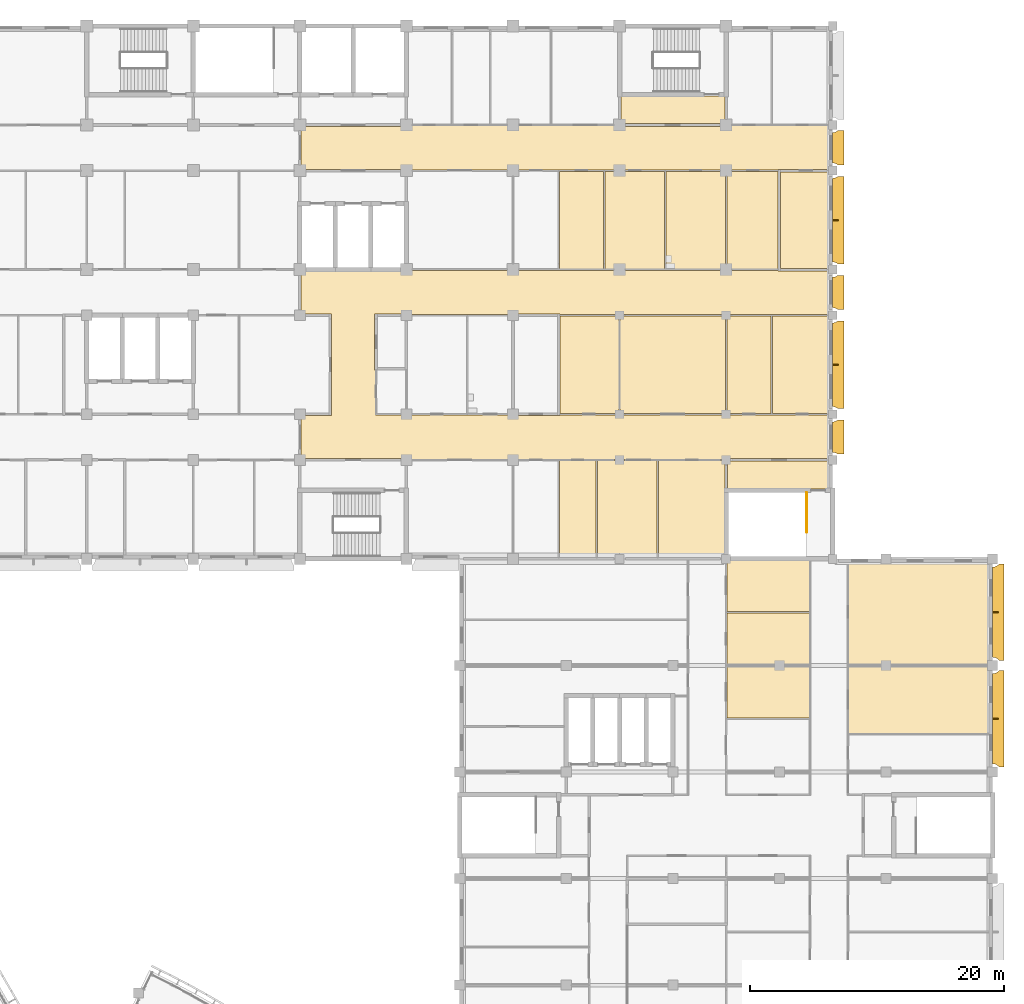
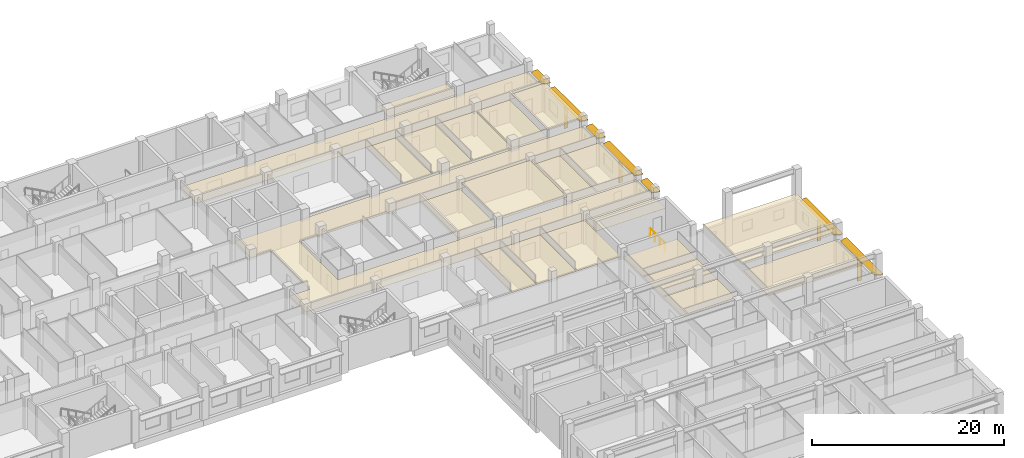
# One storey, part 106 of 109: 21 coverings, 11 shading devices, 1 railing.
"""IFC4 building model written with IfcOpenShell, lengths in metres."""

from ifc_helpers import new_model, si_unit, direction, frame, origin, origin_2d, place, context, subcontext, project, spatial, polyline, rectangle, circle, outline, extrude, material, layer, layer_set, material_profile, profile_set, type_object, element, save


model = new_model("IFC4")

# Units and contexts
model_context = context("Model", 3, precision=1e-05, world=origin(), true_north=direction((0.0, 1.0)))
body_context = subcontext(model_context, "Body", "Model", "MODEL_VIEW")
ifc_project = project(units=[si_unit("LENGTHUNIT", "METRE"), si_unit("AREAUNIT", "SQUARE_METRE"), si_unit("VOLUMEUNIT", "CUBIC_METRE"), si_unit("PLANEANGLEUNIT", "RADIAN"), si_unit("MASSUNIT", "GRAM", prefix="KILO")], contexts=[model_context])

# Site, building, storey
site_placement = place(None, origin())
site = spatial("IfcSite", under=ifc_project, at=site_placement, CompositionType="ELEMENT")
building_placement = place(site_placement, origin())
building = spatial("IfcBuilding", under=site, at=building_placement, Name="Bougainvillea Quay General Hospital", CompositionType="ELEMENT")
storey_placement = place(building_placement, frame((0.0, 0.0, 12.60009765625)))
storey = spatial("IfcBuildingStorey", under=building, at=storey_placement, Name="L02", CompositionType="ELEMENT", Elevation=12.60009765625)

# Railing
ifc_material_1 = material(Name="Stainless steel 304 balustrade", Category="steel")
railing_type = type_object("IfcRailingType", Name="Stair guard 1100", PredefinedType="GUARDRAIL", material=ifc_material_1)
railing_placement = place(storey_placement, frame((191.14990234375, 122.824951171875, 0.0)))
element("IfcRailing", 1, at=railing_placement, inside=storey, type_object=railing_type, Name="L02 ST-D4 top well guard 1", PredefinedType="GUARDRAIL", context=body_context, shape_type="SweptSolid", body=[
    extrude(circle(Radius=0.02392578125, at=origin_2d()), frame((0.0, 0.0, 1.076171875), z_axis=(0.0, -1.0, 0.0), x_axis=(1.0, 0.0, 0.0)), (0.0, 0.0, 1.0), 3.125),
    extrude(circle(Radius=0.02099609375, at=origin_2d()), origin(), (0.0, 0.0, 1.0), 1.052001953125),
    extrude(circle(Radius=0.02099609375, at=origin_2d()), frame((0.0, -1.041748046875, 0.0)), (0.0, 0.0, 1.0), 1.052001953125),
    extrude(circle(Radius=0.02099609375, at=origin_2d()), frame((0.0, -2.083251953125, 0.0)), (0.0, 0.0, 1.0), 1.052001953125),
    extrude(circle(Radius=0.02099609375, at=origin_2d()), frame((0.0, -3.125, 0.0)), (0.0, 0.0, 1.0), 1.052001953125),
])

# Shading devices
ifc_material_2 = material(Name="Powder-coated aluminium canopy soffit and fascia, white", Category="aluminium")
ifc_layer_1 = layer(ifc_material_2, 0.10009765625)
ifc_layer_set_1 = layer_set([ifc_layer_1], Name="Powder-coated aluminium canopy soffit and fascia, white")
shading_device_type_1 = type_object("IfcShadingDeviceType", Name="Sunshade 100", PredefinedType="USERDEFINED", material=ifc_layer_set_1)
shading_device_1_placement = place(storey_placement, frame((0.0, 0.0, 2.849853515625)))
element("IfcShadingDevice", 2, at=shading_device_1_placement, inside=storey, type_object=shading_device_type_1, Name="Sunshade 0", ObjectType="Sunshade", PredefinedType="USERDEFINED", context=body_context, shape_type="SweptSolid", body=[
    extrude(outline(polyline([(205.800048828125, 108.550048828125), (205.800048828125, 101.449951171875), (205.9267578125, 101.4375), (205.98876953125, 101.422119140625), (206.1064453125, 101.373291015625), (206.21240234375, 101.302490234375), (206.3115234375, 101.199951171875), (206.699951171875, 101.199951171875), (206.699951171875, 108.800048828125), (206.3115234375, 108.800048828125), (206.21240234375, 108.697509765625), (206.1064453125, 108.626708984375), (205.98876953125, 108.577880859375), (205.9267578125, 108.5625), (205.800048828125, 108.550048828125)])), origin(), (0.0, 0.0, 1.0), 0.10009765625),
])
shading_device_2_placement = place(storey_placement, frame((0.0, 0.0, 2.849853515625)))
element("IfcShadingDevice", 3, at=shading_device_2_placement, inside=storey, type_object=shading_device_type_1, Name="Sunshade 0", ObjectType="Sunshade", PredefinedType="USERDEFINED", context=body_context, shape_type="SweptSolid", body=[
    extrude(outline(polyline([(205.800048828125, 116.949951171875), (205.800048828125, 109.85009765625), (205.9267578125, 109.83740234375), (205.98876953125, 109.822021484375), (206.1064453125, 109.773193359375), (206.21240234375, 109.702392578125), (206.3115234375, 109.60009765625), (206.699951171875, 109.60009765625), (206.699951171875, 117.199951171875), (206.3115234375, 117.199951171875), (206.21240234375, 117.09765625), (206.1064453125, 117.02685546875), (205.98876953125, 116.97802734375), (205.9267578125, 116.96240234375), (205.800048828125, 116.949951171875)])), origin(), (0.0, 0.0, 1.0), 0.10009765625),
])
shading_device_3_placement = place(storey_placement, frame((0.0, 0.0, 2.849853515625)))
element("IfcShadingDevice", 4, at=shading_device_3_placement, inside=storey, type_object=shading_device_type_1, Name="Sunshade 0", ObjectType="Sunshade", PredefinedType="USERDEFINED", context=body_context, shape_type="SweptSolid", body=[
    extrude(outline(polyline([(193.199951171875, 128.39990234375), (193.199951171875, 126.0), (193.317138671875, 125.988525390625), (193.4296875, 125.954345703125), (193.533447265625, 125.89892578125), (193.595947265625, 125.85009765625), (194.10009765625, 125.85009765625), (194.10009765625, 128.550048828125), (193.595947265625, 128.550048828125), (193.533447265625, 128.501220703125), (193.4296875, 128.445556640625), (193.317138671875, 128.41162109375), (193.199951171875, 128.39990234375)])), origin(), (0.0, 0.0, 1.0), 0.10009765625),
])
shading_device_4_placement = place(storey_placement, frame((0.0, 0.0, 2.849853515625)))
element("IfcShadingDevice", 5, at=shading_device_4_placement, inside=storey, type_object=shading_device_type_1, Name="Sunshade 0", ObjectType="Sunshade", PredefinedType="USERDEFINED", context=body_context, shape_type="SweptSolid", body=[
    extrude(outline(polyline([(193.199951171875, 136.199951171875), (193.199951171875, 129.60009765625), (193.317138671875, 129.58837890625), (193.4296875, 129.554443359375), (193.533447265625, 129.498779296875), (193.595947265625, 129.449951171875), (194.10009765625, 129.449951171875), (194.10009765625, 136.35009765625), (193.595947265625, 136.35009765625), (193.533447265625, 136.301025390625), (193.4296875, 136.24560546875), (193.317138671875, 136.21142578125), (193.199951171875, 136.199951171875)])), origin(), (0.0, 0.0, 1.0), 0.10009765625),
])
shading_device_5_placement = place(storey_placement, frame((0.0, 0.0, 2.849853515625)))
element("IfcShadingDevice", 6, at=shading_device_5_placement, inside=storey, type_object=shading_device_type_1, Name="Sunshade 0", ObjectType="Sunshade", PredefinedType="USERDEFINED", context=body_context, shape_type="SweptSolid", body=[
    extrude(outline(polyline([(193.199951171875, 139.800048828125), (193.199951171875, 137.39990234375), (193.317138671875, 137.388427734375), (193.4296875, 137.354248046875), (193.533447265625, 137.298828125), (193.595947265625, 137.25), (194.10009765625, 137.25), (194.10009765625, 139.949951171875), (193.595947265625, 139.949951171875), (193.533447265625, 139.901123046875), (193.4296875, 139.845703125), (193.317138671875, 139.8115234375), (193.199951171875, 139.800048828125)])), origin(), (0.0, 0.0, 1.0), 0.10009765625),
])
shading_device_6_placement = place(storey_placement, frame((0.0, 0.0, 2.849853515625)))
element("IfcShadingDevice", 7, at=shading_device_6_placement, inside=storey, type_object=shading_device_type_1, Name="Sunshade 0", ObjectType="Sunshade", PredefinedType="USERDEFINED", context=body_context, shape_type="SweptSolid", body=[
    extrude(outline(polyline([(193.199951171875, 147.60009765625), (193.199951171875, 141.0), (193.317138671875, 140.988525390625), (193.4296875, 140.954345703125), (193.533447265625, 140.89892578125), (193.595947265625, 140.85009765625), (194.10009765625, 140.85009765625), (194.10009765625, 147.75), (193.595947265625, 147.75), (193.533447265625, 147.701171875), (193.4296875, 147.645751953125), (193.317138671875, 147.611572265625), (193.199951171875, 147.60009765625)])), origin(), (0.0, 0.0, 1.0), 0.10009765625),
])
shading_device_7_placement = place(storey_placement, frame((0.0, 0.0, 2.849853515625)))
element("IfcShadingDevice", 8, at=shading_device_7_placement, inside=storey, type_object=shading_device_type_1, Name="Sunshade 0", ObjectType="Sunshade", PredefinedType="USERDEFINED", context=body_context, shape_type="SweptSolid", body=[
    extrude(outline(polyline([(193.199951171875, 151.199951171875), (193.199951171875, 148.800048828125), (193.317138671875, 148.78857421875), (193.4296875, 148.75439453125), (193.533447265625, 148.698974609375), (193.595947265625, 148.64990234375), (194.10009765625, 148.64990234375), (194.10009765625, 151.35009765625), (193.595947265625, 151.35009765625), (193.533447265625, 151.301025390625), (193.4296875, 151.24560546875), (193.317138671875, 151.21142578125), (193.199951171875, 151.199951171875)])), origin(), (0.0, 0.0, 1.0), 0.10009765625),
])

# Coverings
ifc_material_3 = material(Name="Mineral fibre ceiling tile")
ifc_layer_2 = layer(ifc_material_3, 0.030029296875)
ifc_layer_set_2 = layer_set([ifc_layer_2], Name="Mineral fibre ceiling tile")
covering_type = type_object("IfcCoveringType", Name="Suspended ceiling mineral fibre tile", PredefinedType="CEILING", material=ifc_layer_set_2)
covering_1_placement = place(storey_placement, frame((0.0, 0.0, 2.699951171875)))
element("IfcCovering", 9, at=covering_1_placement, inside=storey, type_object=covering_type, Name="Ceiling Corridor V4-2", PredefinedType="CEILING", context=body_context, shape_type="SweptSolid", body=[
    extrude(outline(polyline([(193.199951171875, 140.300048828125), (188.89990234375, 140.300048828125), (188.89990234375, 140.35009765625), (151.300048828125, 140.35009765625), (151.300048828125, 136.89990234375), (153.699951171875, 136.89990234375), (153.699951171875, 128.89990234375), (151.300048828125, 128.89990234375), (151.300048828125, 125.5), (159.699951171875, 125.5), (159.699951171875, 125.449951171875), (184.699951171875, 125.449951171875), (184.699951171875, 125.5), (193.199951171875, 125.5), (193.199951171875, 128.949951171875), (171.699951171875, 128.949951171875), (171.699951171875, 128.89990234375), (167.89990234375, 128.89990234375), (167.89990234375, 128.949951171875), (157.14990234375, 128.949951171875), (157.14990234375, 132.5), (157.10009765625, 132.5), (157.10009765625, 136.89990234375), (159.699951171875, 136.89990234375), (159.699951171875, 136.85009765625), (167.89990234375, 136.85009765625), (167.89990234375, 136.89990234375), (171.699951171875, 136.89990234375), (171.699951171875, 136.85009765625), (193.199951171875, 136.85009765625), (193.199951171875, 140.300048828125)])), origin(), (0.0, 0.0, 1.0), 0.030029296875),
])
covering_2_placement = place(storey_placement, frame((0.0, 0.0, 2.699951171875)))
element("IfcCovering", 10, at=covering_2_placement, inside=storey, type_object=covering_type, Name="Ceiling Corridor V4-3", PredefinedType="CEILING", context=body_context, shape_type="SweptSolid", body=[
    extrude(outline(polyline([(193.199951171875, 151.75), (184.89990234375, 151.75), (184.89990234375, 151.699951171875), (176.300048828125, 151.699951171875), (176.300048828125, 151.75), (159.699951171875, 151.75), (159.699951171875, 151.699951171875), (151.300048828125, 151.699951171875), (151.300048828125, 148.300048828125), (159.699951171875, 148.300048828125), (159.699951171875, 148.25), (188.89990234375, 148.25), (188.89990234375, 148.300048828125), (193.199951171875, 148.300048828125), (193.199951171875, 151.75)])), origin(), (0.0, 0.0, 1.0), 0.030029296875),
])
covering_3_placement = place(storey_placement, frame((0.0, 0.0, 2.699951171875)))
element("IfcCovering", 11, at=covering_3_placement, inside=storey, type_object=covering_type, Name="Ceiling Smoke-proof Stair Vestibule ST-A4", PredefinedType="CEILING", context=body_context, shape_type="SweptSolid", body=[
    extrude(outline(polyline([(184.699951171875, 151.89990234375), (184.699951171875, 154.10009765625), (176.5, 154.10009765625), (176.5, 151.89990234375), (184.699951171875, 151.89990234375)])), origin(), (0.0, 0.0, 1.0), 0.030029296875),
])
covering_4_placement = place(storey_placement, frame((0.0, 0.0, 2.699951171875)))
element("IfcCovering", 12, at=covering_4_placement, inside=storey, type_object=covering_type, Name="Ceiling Smoke-proof Stair Vestibule ST-D4", PredefinedType="CEILING", context=body_context, shape_type="SweptSolid", body=[
    extrude(outline(polyline([(193.199951171875, 125.300048828125), (184.89990234375, 125.300048828125), (184.89990234375, 123.10009765625), (193.199951171875, 123.10009765625), (193.199951171875, 125.300048828125)])), origin(), (0.0, 0.0, 1.0), 0.030029296875),
])
covering_5_placement = place(storey_placement, frame((0.0, 0.0, 2.7998046875)))
element("IfcCovering", 13, at=covering_5_placement, inside=storey, type_object=covering_type, Name="Ceiling Post-anaesthesia Recovery Bay Room 03", PredefinedType="CEILING", context=body_context, shape_type="SweptSolid", body=[
    extrude(outline(polyline([(191.35009765625, 109.14990234375), (184.85009765625, 109.14990234375), (184.85009765625, 105.050048828125), (191.35009765625, 105.050048828125), (191.35009765625, 109.14990234375)])), origin(), (0.0, 0.0, 1.0), 0.030029296875),
])
covering_6_placement = place(storey_placement, frame((0.0, 0.0, 2.7998046875)))
element("IfcCovering", 14, at=covering_6_placement, inside=storey, type_object=covering_type, Name="Ceiling Post-anaesthesia Nurses' Station", PredefinedType="CEILING", context=body_context, shape_type="SweptSolid", body=[
    extrude(outline(polyline([(184.85009765625, 113.35009765625), (184.85009765625, 109.25), (191.35009765625, 109.25), (191.35009765625, 113.35009765625), (184.85009765625, 113.35009765625)])), origin(), (0.0, 0.0, 1.0), 0.030029296875),
])
covering_7_placement = place(storey_placement, frame((0.0, 0.0, 2.7998046875)))
element("IfcCovering", 15, at=covering_7_placement, inside=storey, type_object=covering_type, Name="Ceiling Post-anaesthesia Recovery Bay Room 04", PredefinedType="CEILING", context=body_context, shape_type="SweptSolid", body=[
    extrude(outline(polyline([(191.35009765625, 113.449951171875), (191.35009765625, 117.550048828125), (184.85009765625, 117.550048828125), (184.85009765625, 113.449951171875), (191.35009765625, 113.449951171875)])), origin(), (0.0, 0.0, 1.0), 0.030029296875),
])
covering_8_placement = place(storey_placement, frame((0.0, 0.0, 2.7998046875)))
element("IfcCovering", 16, at=covering_8_placement, inside=storey, type_object=covering_type, Name="Ceiling Post-anaesthesia Recovery Bay Room 05", PredefinedType="CEILING", context=body_context, shape_type="SweptSolid", body=[
    extrude(outline(polyline([(205.800048828125, 109.14990234375), (194.449951171875, 109.14990234375), (194.449951171875, 103.85009765625), (205.800048828125, 103.85009765625), (205.800048828125, 109.14990234375)])), origin(), (0.0, 0.0, 1.0), 0.030029296875),
])
covering_9_placement = place(storey_placement, frame((0.0, 0.0, 3.5)))
element("IfcCovering", 17, at=covering_9_placement, inside=storey, type_object=covering_type, Name="Ceiling Post-anaesthesia Relatives' Waiting Room", PredefinedType="CEILING", context=body_context, shape_type="SweptSolid", body=[
    extrude(outline(polyline([(194.449951171875, 117.60009765625), (194.449951171875, 109.25), (205.800048828125, 109.25), (205.800048828125, 117.60009765625), (194.449951171875, 117.60009765625)])), origin(), (0.0, 0.0, 1.0), 0.02978515625),
])
covering_10_placement = place(storey_placement, frame((0.0, 0.0, 2.7998046875)))
element("IfcCovering", 18, at=covering_10_placement, inside=storey, type_object=covering_type, Name="Ceiling Day Surgery Changing Room 01", PredefinedType="CEILING", context=body_context, shape_type="SweptSolid", body=[
    extrude(outline(polyline([(174.550048828125, 117.699951171875), (174.550048828125, 125.35009765625), (171.64990234375, 125.35009765625), (171.64990234375, 117.699951171875), (174.550048828125, 117.699951171875)])), origin(), (0.0, 0.0, 1.0), 0.030029296875),
])
covering_11_placement = place(storey_placement, frame((0.0, 0.0, 2.7998046875)))
element("IfcCovering", 19, at=covering_11_placement, inside=storey, type_object=covering_type, Name="Ceiling Day Surgery Link Lobby", PredefinedType="CEILING", context=body_context, shape_type="SweptSolid", body=[
    extrude(outline(polyline([(179.35009765625, 117.699951171875), (179.35009765625, 125.35009765625), (174.64990234375, 125.35009765625), (174.64990234375, 117.699951171875), (179.35009765625, 117.699951171875)])), origin(), (0.0, 0.0, 1.0), 0.030029296875),
])
covering_12_placement = place(storey_placement, frame((0.0, 0.0, 2.7998046875)))
element("IfcCovering", 20, at=covering_12_placement, inside=storey, type_object=covering_type, Name="Ceiling Annexe Recovery Chair Bay 01", PredefinedType="CEILING", context=body_context, shape_type="SweptSolid", body=[
    extrude(outline(polyline([(184.75, 117.699951171875), (184.75, 122.89990234375), (184.699951171875, 122.89990234375), (184.699951171875, 125.35009765625), (179.449951171875, 125.35009765625), (179.449951171875, 117.699951171875), (184.75, 117.699951171875)])), origin(), (0.0, 0.0, 1.0), 0.030029296875),
])
covering_13_placement = place(storey_placement, frame((0.0, 0.0, 2.7998046875)))
element("IfcCovering", 21, at=covering_13_placement, inside=storey, type_object=covering_type, Name="Ceiling Annexe Meeting Room", PredefinedType="CEILING", context=body_context, shape_type="SweptSolid", body=[
    extrude(outline(polyline([(176.35009765625, 136.75), (171.699951171875, 136.75), (171.699951171875, 129.050048828125), (176.35009765625, 129.050048828125), (176.35009765625, 136.75)])), origin(), (0.0, 0.0, 1.0), 0.030029296875),
])
covering_14_placement = place(storey_placement, frame((0.0, 0.0, 3.5)))
element("IfcCovering", 22, at=covering_14_placement, inside=storey, type_object=covering_type, Name="Ceiling Day Surgery Admission Lounge", PredefinedType="CEILING", context=body_context, shape_type="SweptSolid", body=[
    extrude(outline(polyline([(184.75, 136.75), (176.449951171875, 136.75), (176.449951171875, 129.050048828125), (184.75, 129.050048828125), (184.75, 136.75)])), origin(), (0.0, 0.0, 1.0), 0.02978515625),
])
covering_15_placement = place(storey_placement, frame((0.0, 0.0, 2.7998046875)))
element("IfcCovering", 23, at=covering_15_placement, inside=storey, type_object=covering_type, Name="Ceiling Day Surgery Pre-assessment Room 02", PredefinedType="CEILING", context=body_context, shape_type="SweptSolid", body=[
    extrude(outline(polyline([(184.85009765625, 136.75), (184.85009765625, 129.050048828125), (188.35009765625, 129.050048828125), (188.35009765625, 136.75), (184.85009765625, 136.75)])), origin(), (0.0, 0.0, 1.0), 0.030029296875),
])
covering_16_placement = place(storey_placement, frame((0.0, 0.0, 2.7998046875)))
element("IfcCovering", 24, at=covering_16_placement, inside=storey, type_object=covering_type, Name="Ceiling Day Surgery Changing Room 02", PredefinedType="CEILING", context=body_context, shape_type="SweptSolid", body=[
    extrude(outline(polyline([(193.199951171875, 136.75), (188.449951171875, 136.75), (188.449951171875, 129.050048828125), (193.199951171875, 129.050048828125), (193.199951171875, 136.75)])), origin(), (0.0, 0.0, 1.0), 0.030029296875),
])
covering_17_placement = place(storey_placement, frame((0.0, 0.0, 2.7998046875)))
element("IfcCovering", 25, at=covering_17_placement, inside=storey, type_object=covering_type, Name="Ceiling Chaplaincy Office", PredefinedType="CEILING", context=body_context, shape_type="SweptSolid", body=[
    extrude(outline(polyline([(171.64990234375, 148.14990234375), (171.64990234375, 140.449951171875), (175.14990234375, 140.449951171875), (175.14990234375, 148.14990234375), (171.64990234375, 148.14990234375)])), origin(), (0.0, 0.0, 1.0), 0.030029296875),
])
covering_18_placement = place(storey_placement, frame((0.0, 0.0, 2.7998046875)))
element("IfcCovering", 26, at=covering_18_placement, inside=storey, type_object=covering_type, Name="Ceiling Prayer Room", PredefinedType="CEILING", context=body_context, shape_type="SweptSolid", body=[
    extrude(outline(polyline([(179.949951171875, 140.449951171875), (179.949951171875, 148.14990234375), (175.25, 148.14990234375), (175.25, 140.449951171875), (179.949951171875, 140.449951171875)])), origin(), (0.0, 0.0, 1.0), 0.030029296875),
])
covering_19_placement = place(storey_placement, frame((0.0, 0.0, 2.7998046875)))
element("IfcCovering", 27, at=covering_19_placement, inside=storey, type_object=covering_type, Name="Ceiling Ablution Room", PredefinedType="CEILING", context=body_context, shape_type="SweptSolid", body=[
    extrude(outline(polyline([(184.75, 140.449951171875), (184.75, 148.14990234375), (180.050048828125, 148.14990234375), (180.050048828125, 140.449951171875), (184.75, 140.449951171875)])), origin(), (0.0, 0.0, 1.0), 0.030029296875),
])
covering_20_placement = place(storey_placement, frame((0.0, 0.0, 2.7998046875)))
element("IfcCovering", 28, at=covering_20_placement, inside=storey, type_object=covering_type, Name="Ceiling Memorial Garden Lobby", PredefinedType="CEILING", context=body_context, shape_type="SweptSolid", body=[
    extrude(outline(polyline([(188.89990234375, 140.449951171875), (188.89990234375, 148.14990234375), (184.85009765625, 148.14990234375), (184.85009765625, 140.449951171875), (188.89990234375, 140.449951171875)])), origin(), (0.0, 0.0, 1.0), 0.030029296875),
])
covering_21_placement = place(storey_placement, frame((0.0, 0.0, 3.5)))
element("IfcCovering", 29, at=covering_21_placement, inside=storey, type_object=covering_type, Name="Ceiling Chapel Store", PredefinedType="CEILING", context=body_context, shape_type="SweptSolid", body=[
    extrude(outline(polyline([(193.199951171875, 148.10009765625), (189.10009765625, 148.10009765625), (189.10009765625, 140.5), (193.199951171875, 140.5), (193.199951171875, 148.10009765625)])), origin(), (0.0, 0.0, 1.0), 0.02978515625),
])

# Shading devices
ifc_material_4 = material(Name="Powder-coated aluminium fin, white", Category="aluminium")
ifc_material_profile = material_profile(ifc_material_4, rectangle(XDim=0.449951171875, YDim=0.10009765625, at=origin_2d()))
ifc_profile_set = profile_set([ifc_material_profile], Name="Powder-coated aluminium fin, white")
shading_device_type_2 = type_object("IfcShadingDeviceType", Name="Vertical fin 450x100", PredefinedType="USERDEFINED", material=ifc_profile_set)
for number, where, z_axis, x_axis, name in (
    (30, (206.02490234375, 105.0, 0.0), (0.0, 0.0, 1.0), (1.0, 0.0, 0.0), "Vertical fin 02e 1"),
    (31, (206.02490234375, 113.39990234375, 0.0), (0.0, 0.0, 1.0), (1.0, 0.0, 0.0), "Vertical fin 02f 1"),
    (32, (193.425048828125, 132.89990234375, 0.0), (0.0, 0.0, 1.0), (1.0, 0.0, 0.0), "Vertical fin 00c 1"),
    (33, (193.425048828125, 144.300048828125, 0.0), (0.0, 0.0, 1.0), (1.0, 0.0, 0.0), "Vertical fin 00e 1"),
):
    element("IfcShadingDevice", number, at=place(storey_placement, frame(where, z_axis=z_axis, x_axis=x_axis)), inside=storey, type_object=shading_device_type_2, Name=name, ObjectType="Vertical fin", PredefinedType="USERDEFINED", context=body_context, shape_type="SweptSolid", body=[
        extrude(rectangle(XDim=0.449951171875, YDim=0.10009765625, at=origin_2d()), origin(), (0.0, 0.0, 1.0), 2.849853515625),
    ])

save(model, "model.ifc")
